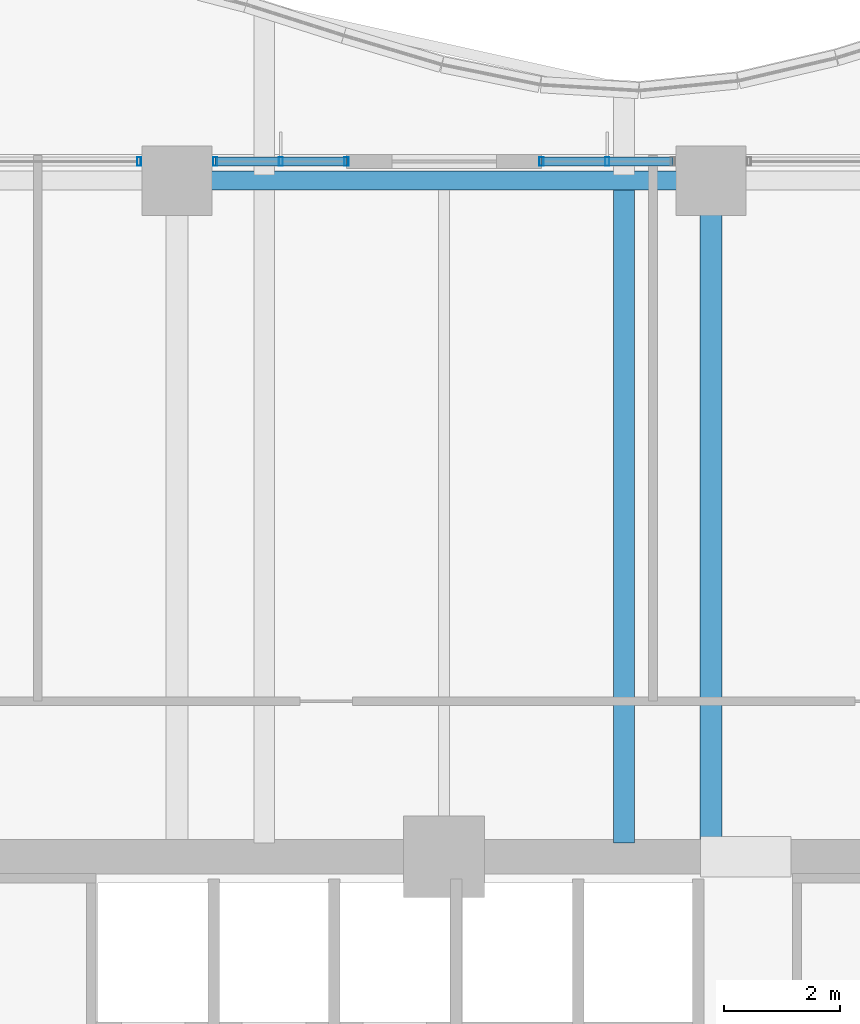
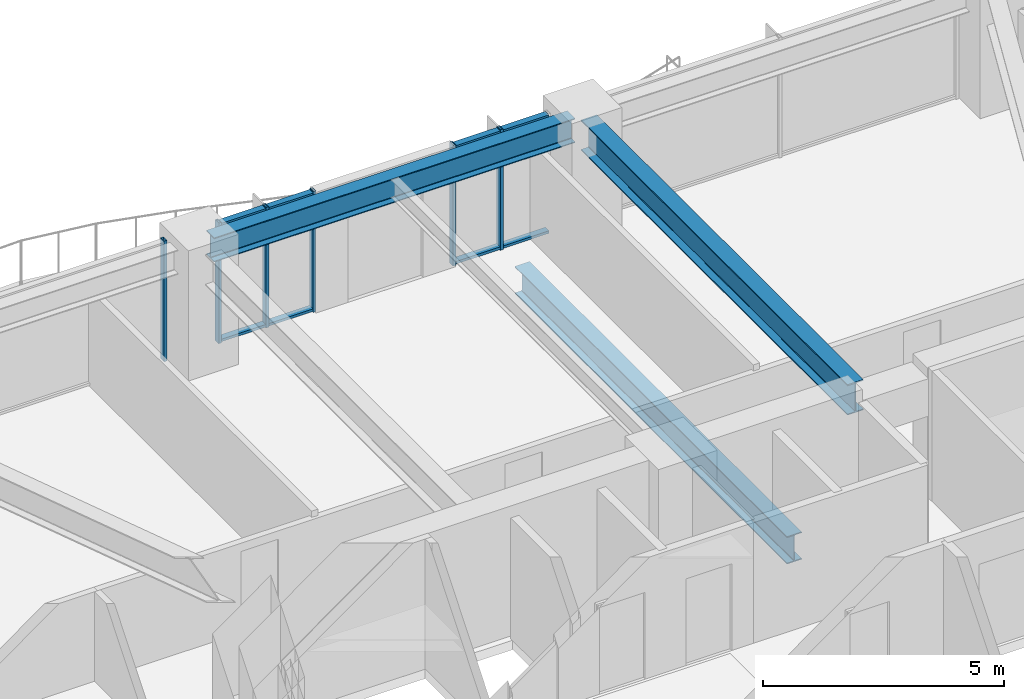
# One storey, part 21 of 38: 10 members, 3 beams, 3 elements without a shape of their own.
"""IFC4 building model written with IfcOpenShell, lengths in metres."""

import ifcopenshell
import ifcopenshell.guid

model = None  # the IFC model being written
_history = None  # IfcOwnerHistory: only IFC2X3 demands one
_inside = {}  # id of a spatial element -> (the spatial element, [elements in it])
_under = {}  # id of a project, library or spatial element -> (it, [spatial elements below it])
_declared = {}  # id of a project -> (the project, [libraries it declares])
_typed = {}  # id of a type object -> (the type object, [elements of that type])
_made_of = {}  # id of a material, layer set ... -> (it, [elements and type objects made of it])


def new_model(schema):
    """Start an empty IFC model of exactly this schema.

    Asked for "IFC4X3", IfcOpenShell would pick the latest addendum, in which some entities
    have other attributes; the version numbers below select the first issue.
    IFC2X3 requires an IfcOwnerHistory on every rooted entity: one is made here for all.
    """
    global model, _history
    if schema == "IFC4X3":
        model = ifcopenshell.file(schema_version=(4, 3, 0, 0))
    else:
        model = ifcopenshell.file(schema=schema)
    _inside.clear()
    _under.clear()
    _declared.clear()
    _typed.clear()
    _made_of.clear()
    _history = None
    if model.schema == "IFC2X3":
        org = make("IfcOrganization", Name="unknown")
        user = make(
            "IfcPersonAndOrganization",
            ThePerson=make("IfcPerson", FamilyName="unknown"),
            TheOrganization=org,
        )
        app = make(
            "IfcApplication",
            ApplicationDeveloper=org,
            Version="unknown",
            ApplicationFullName="unknown",
            ApplicationIdentifier="unknown",
        )
        _history = make(
            "IfcOwnerHistory",
            OwningUser=user,
            OwningApplication=app,
            ChangeAction="ADDED",
            CreationDate=0,
        )
    return model


def make(cls, **values):
    """One entity of the class cls with the attributes given. An attribute that is None is left unset."""
    return model.create_entity(
        cls, **{name: value for name, value in values.items() if value is not None}
    )


def rooted(cls, **values):
    """An entity with a GlobalId (a new one), such as an element, a storey or a relation."""
    return make(cls, GlobalId=ifcopenshell.guid.new(), OwnerHistory=_history, **values)


def si_unit(unit_type, name, prefix=None):
    """IfcSIUnit, for example si_unit("LENGTHUNIT", "METRE", prefix="MILLI")."""
    return make("IfcSIUnit", UnitType=unit_type, Prefix=prefix, Name=name)


def assignment(units):
    """IfcUnitAssignment: the units of a project."""
    return None if units is None else make("IfcUnitAssignment", Units=units)


def point(xyz):
    """IfcCartesianPoint."""
    return None if xyz is None else make("IfcCartesianPoint", Coordinates=xyz)


def direction(xyz):
    """IfcDirection."""
    return None if xyz is None else make("IfcDirection", DirectionRatios=xyz)


def frame(location, z_axis=None, x_axis=None):
    """IfcAxis2Placement3D, a coordinate frame: its origin and axes. An axis left out is left unset."""
    return make(
        "IfcAxis2Placement3D",
        Location=point(location),
        Axis=direction(z_axis),
        RefDirection=direction(x_axis),
    )


def frame_2d(location, x_axis=None):
    """IfcAxis2Placement2D, a coordinate frame in the plane: its origin and x axis."""
    return make(
        "IfcAxis2Placement2D", Location=point(location), RefDirection=direction(x_axis)
    )


def origin():
    """The frame at (0, 0, 0) with its axes left unset."""
    return frame((0.0, 0.0, 0.0))


def origin_2d():
    """The frame at (0, 0) in the plane with its x axis left unset."""
    return frame_2d((0.0, 0.0))


def place(relative_to, where):
    """IfcLocalPlacement: puts the frame where relative to a parent placement (None: the world)."""
    return make(
        "IfcLocalPlacement", PlacementRelTo=relative_to, RelativePlacement=where
    )


def context(
    kind, dimensions, precision=None, world=None, true_north=None, identifier=None
):
    """IfcGeometricRepresentationContext, for example the 3D "Model" context."""
    return make(
        "IfcGeometricRepresentationContext",
        ContextIdentifier=identifier,
        ContextType=kind,
        CoordinateSpaceDimension=dimensions,
        Precision=precision,
        WorldCoordinateSystem=world,
        TrueNorth=true_north,
    )


def subcontext(parent, identifier, kind, view, scale=None):
    """IfcGeometricRepresentationSubContext, for example "Body" below "Model"."""
    return make(
        "IfcGeometricRepresentationSubContext",
        ContextIdentifier=identifier,
        ContextType=kind,
        ParentContext=parent,
        TargetScale=scale,
        TargetView=view,
    )


def project(units=None, contexts=None):
    """IfcProject with its units and contexts."""
    return rooted(
        "IfcProject",
        Name="project",
        RepresentationContexts=contexts,
        UnitsInContext=assignment(units),
    )


def spatial(cls, under=None, at=None, **own):
    """A site, building, storey or space (cls), placed at a placement, below another one or the project."""
    s = rooted(cls, ObjectPlacement=at, **own)
    if under is not None:
        _under.setdefault(under.id(), (under, []))[1].append(s)
    return s


def profile(cls, at=None, kind="AREA", **sizes):
    """A parametric profile (cls). Its sizes go by their IFC names, for example OverallWidth=200.0."""
    return make(cls, ProfileType=kind, Position=at, **sizes)


def hollow_rectangle(**sizes):
    """IfcRectangleHollowProfileDef."""
    return profile("IfcRectangleHollowProfileDef", **sizes)


def i_section(**sizes):
    """IfcIShapeProfileDef."""
    return profile("IfcIShapeProfileDef", **sizes)


def extrude(swept, where, along, depth):
    """IfcExtrudedAreaSolid: the profile swept, set in the frame where, extruded along a direction by depth."""
    return make(
        "IfcExtrudedAreaSolid",
        SweptArea=swept,
        Position=where,
        ExtrudedDirection=direction(along),
        Depth=depth,
    )


def shape(context_of_items, identifier, shape_type, items):
    """IfcShapeRepresentation: the items that make up one representation, for example the "Body"."""
    return make(
        "IfcShapeRepresentation",
        ContextOfItems=context_of_items,
        RepresentationIdentifier=identifier,
        RepresentationType=shape_type,
        Items=items,
    )


def material(Name=None, Category=None):
    """IfcMaterial."""
    return make("IfcMaterial", Name=Name, Category=Category)


def material_profile(
    of_material, cross_section, Name=None, Category=None, Priority=None
):
    """IfcMaterialProfile: a cross section and its material."""
    return make(
        "IfcMaterialProfile",
        Name=Name,
        Material=of_material,
        Profile=cross_section,
        Priority=Priority,
        Category=Category,
    )


def profile_set(profiles, Name=None, composite=None):
    """IfcMaterialProfileSet."""
    return make(
        "IfcMaterialProfileSet",
        Name=Name,
        MaterialProfiles=profiles,
        CompositeProfile=composite,
    )


def made_of(thing, what):
    """Note that an element or type object is made of a material, layer set ...; save() writes the relation."""
    if what is not None:
        _made_of.setdefault(what.id(), (what, []))[1].append(thing)
    return thing


def type_object(cls, material=None, **own):
    """A type object (cls), such as IfcWallType, which elements share."""
    return made_of(rooted(cls, **own), material)


def element(
    cls,
    number,
    at=None,
    inside=None,
    cuts=None,
    type_object=None,
    material=None,
    context=None,
    identifier="Body",
    shape_type=None,
    held_by="IfcProductDefinitionShape",
    body=None,
    shapes=None,
    **own,
):
    """One element of the class cls, such as IfcWall. Its Tag is "e" and its number.

    at: its placement. inside: the storey or other place that contains it. cuts: it is an
    opening in that element (IfcRelVoidsElement). A single representation is given by context,
    identifier, shape_type and body (its items); several are given by shapes. held_by: the class
    of the entity that holds the representations. save() writes the other relations.
    """
    e = rooted(cls, Tag="e%d" % number, ObjectPlacement=at, **own)
    if body is not None:
        shapes = [shape(context, identifier, shape_type, body)]
    if shapes is not None:
        e.Representation = make(held_by, Representations=shapes)
    if inside is not None:
        _inside.setdefault(inside.id(), (inside, []))[1].append(e)
    if cuts is not None:
        rooted(
            "IfcRelVoidsElement", RelatingBuildingElement=cuts, RelatedOpeningElement=e
        )
    if type_object is not None:
        _typed.setdefault(type_object.id(), (type_object, []))[1].append(e)
    return made_of(e, material)


def aggregate(whole, parts):
    """IfcRelAggregates: a whole, such as a stair, and the parts it consists of."""
    return rooted("IfcRelAggregates", RelatingObject=whole, RelatedObjects=parts)


def save(model, path):
    """Write the relations noted so far, then the file.

    IfcRelAggregates (storeys below a building ...), IfcRelContainedInSpatialStructure (elements
    in a storey), IfcRelDefinesByType, IfcRelAssociatesMaterial and IfcRelDeclares: one each for
    every whole, place, type object, material and project.
    """
    for whole, parts in _under.values():
        aggregate(whole, parts)
    for where, things in _inside.values():
        rooted(
            "IfcRelContainedInSpatialStructure",
            RelatedElements=things,
            RelatingStructure=where,
        )
    for kind, things in _typed.values():
        rooted("IfcRelDefinesByType", RelatedObjects=things, RelatingType=kind)
    for what, things in _made_of.values():
        rooted("IfcRelAssociatesMaterial", RelatedObjects=things, RelatingMaterial=what)
    for by, libraries in _declared.values():
        rooted("IfcRelDeclares", RelatingContext=by, RelatedDefinitions=libraries)
    model.write(path)


model = new_model("IFC4")

# Units and contexts
model_context = context("Model", 3, precision=1e-05, world=origin(), true_north=direction((0.0, 1.0)))
body_context = subcontext(model_context, "Body", "Model", "MODEL_VIEW")
ifc_project = project(units=[si_unit("LENGTHUNIT", "METRE"), si_unit("AREAUNIT", "SQUARE_METRE"), si_unit("VOLUMEUNIT", "CUBIC_METRE"), si_unit("PLANEANGLEUNIT", "RADIAN"), si_unit("MASSUNIT", "GRAM", prefix="KILO")], contexts=[model_context])

# Site, building, storey
site_placement = place(None, origin())
site = spatial("IfcSite", under=ifc_project, at=site_placement, CompositionType="ELEMENT")
building_placement = place(site_placement, origin())
building = spatial("IfcBuilding", under=site, at=building_placement, Name="Kolvaren Belvedere", CompositionType="ELEMENT")
storey_placement = place(building_placement, frame((0.0, 0.0, 30.39990234375)))
storey = spatial("IfcBuildingStorey", under=building, at=storey_placement, Name="L08", CompositionType="ELEMENT", Elevation=30.39990234375)

# Beams
ifc_material_1 = material(Name="Structural steel ASTM A992 Grade 50", Category="steel")
ifc_material_profile_1 = material_profile(ifc_material_1, i_section(OverallWidth=0.35498046875, OverallDepth=0.696044921875, WebThickness=0.015380859375, FlangeThickness=0.02490234375, FilletRadius=0.02197265625, at=origin_2d()), Name="W27X146")
ifc_profile_set_1 = profile_set([ifc_material_profile_1], Name="Structural steel ASTM A992 Grade 50")
beam_type_1 = type_object("IfcBeamType", Name="BM-GIRD-W27X146", PredefinedType="BEAM", material=ifc_profile_set_1)
beam_1_placement = place(storey_placement, frame((3.10009765625, 10.139892578125, -0.587890625), z_axis=(0.0, 1.0, 0.0), x_axis=(-1.0, 0.0, 0.0)))
element("IfcBeam", 1, at=beam_1_placement, inside=storey, type_object=beam_type_1, Name="L08 Balcony Interior Back-Span Girder BAL-N-2", PredefinedType="BEAM", context=body_context, shape_type="SweptSolid", body=[
    extrude(i_section(OverallWidth=0.35498046875, OverallDepth=0.696044921875, WebThickness=0.015380859375, FlangeThickness=0.02490234375, FilletRadius=0.02197265625, at=origin_2d()), origin(), (0.0, 0.0, 1.0), 11.315185546875),
])
ifc_material_2 = material(Name="Structural steel ASTM A992 Grade 50", Category="steel")
ifc_material_profile_2 = material_profile(ifc_material_2, i_section(OverallWidth=0.381103515625, OverallDepth=0.77294921875, WebThickness=0.0166015625, FlangeThickness=0.027099609375, FilletRadius=0.02392578125, at=origin_2d()), Name="W30X173")
ifc_profile_set_2 = profile_set([ifc_material_profile_2], Name="Structural steel ASTM A992 Grade 50")
beam_type_2 = type_object("IfcBeamType", Name="BM-GIRD-W30X173", PredefinedType="BEAM", material=ifc_profile_set_2)
beam_2_placement = place(storey_placement, frame((4.60009765625, 10.199951171875, 2.673583984375), z_axis=(0.0, 1.0, 0.0), x_axis=(-1.0, 0.0, 0.0)))
element("IfcBeam", 2, at=beam_2_placement, inside=storey, type_object=beam_type_2, Name="L08 North Radial Girder P", PredefinedType="BEAM", context=body_context, shape_type="SweptSolid", body=[
    extrude(i_section(OverallWidth=0.381103515625, OverallDepth=0.77294921875, WebThickness=0.0166015625, FlangeThickness=0.027099609375, FilletRadius=0.02392578125, at=origin_2d()), origin(), (0.0, 0.0, 1.0), 11.080078125),
])
ifc_material_3 = material(Name="Structural steel ASTM A992 Grade 50", Category="steel")
ifc_material_profile_3 = material_profile(ifc_material_3, i_section(OverallWidth=0.324951171875, OverallDepth=0.615966796875, WebThickness=0.013916015625, FlangeThickness=0.021484375, FilletRadius=0.02001953125, at=origin_2d()), Name="W24X117")
ifc_profile_set_3 = profile_set([ifc_material_profile_3], Name="Structural steel ASTM A992 Grade 50")
beam_type_3 = type_object("IfcBeamType", Name="BM-SPAN-W24X117", PredefinedType="SPANDREL", material=ifc_profile_set_3)
beam_3_placement = place(storey_placement, frame((4.330078125, 21.550048828125, 2.752197265625), z_axis=(-1.0, 0.0, 0.0), x_axis=(0.0, -1.0, 0.0)))
element("IfcBeam", 3, at=beam_3_placement, inside=storey, type_object=beam_type_3, Name="L08 Perimeter Spandrel N3-N2", PredefinedType="SPANDREL", context=body_context, shape_type="SweptSolid", body=[
    extrude(i_section(OverallWidth=0.324951171875, OverallDepth=0.615966796875, WebThickness=0.013916015625, FlangeThickness=0.021484375, FilletRadius=0.02001953125, at=origin_2d()), origin(), (0.0, 0.0, 1.0), 8.66015625),
])

# Curtain wall, member
ifc_material_4 = material(Name="Anodised pale-metal aluminium AA 6063-T6", Category="aluminium")
curtain_wall_type = type_object("IfcCurtainWallType", Name="CW-Z1-LOW", PredefinedType="NOTDEFINED", material=ifc_material_4)
curtain_wall_1_placement = place(storey_placement, origin())
curtain_wall_1 = element("IfcCurtainWall", 4, at=curtain_wall_1_placement, inside=storey, type_object=curtain_wall_type, Name="L08 Unitised Curtain Wall FCW-L08-N1-B1", PredefinedType="NOTDEFINED")
ifc_material_5 = material(Name="Anodised pale-metal aluminium AA 6063-T6", Category="aluminium")
ifc_material_profile_4 = material_profile(ifc_material_5, hollow_rectangle(XDim=0.070068359375, YDim=0.14990234375, WallThickness=0.004150390625, at=origin_2d()), Name="ALU-MUL-150X70")
ifc_profile_set_4 = profile_set([ifc_material_profile_4], Name="Anodised pale-metal aluminium AA 6063-T6")
member_type_1 = type_object("IfcMemberType", Name="CW-MUL-150", PredefinedType="MULLION", material=ifc_profile_set_4)
member_1_placement = place(storey_placement, frame((-5.2548828125, 21.8798828125, 0.0), z_axis=(0.0, 0.0, 1.0), x_axis=(1.0, 0.0, 0.0)))
member_1 = element("IfcMember", 5, at=member_1_placement, type_object=member_type_1, Name="FCW-L08-N1-B1 Unitised Mullion 3", PredefinedType="MULLION", context=body_context, shape_type="SweptSolid", body=[
    extrude(hollow_rectangle(XDim=0.070068359375, YDim=0.14990234375, WallThickness=0.004150390625, at=origin_2d()), origin(), (0.0, 0.0, 1.0), 3.06005859375),
])
aggregate(curtain_wall_1, [member_1])

# Curtain wall, members
curtain_wall_2_placement = place(storey_placement, origin())
curtain_wall_2 = element("IfcCurtainWall", 6, at=curtain_wall_2_placement, inside=storey, type_object=curtain_wall_type, Name="L08 Unitised Curtain Wall FCW-L08-N1-B2", PredefinedType="NOTDEFINED")
member_2_placement = place(storey_placement, frame((-3.945068359375, 21.8798828125, 0.0), z_axis=(0.0, 0.0, 1.0), x_axis=(1.0, 0.0, 0.0)))
member_2 = element("IfcMember", 7, at=member_2_placement, type_object=member_type_1, Name="FCW-L08-N1-B2 Unitised Mullion 1", PredefinedType="MULLION", context=body_context, shape_type="SweptSolid", body=[
    extrude(hollow_rectangle(XDim=0.070068359375, YDim=0.14990234375, WallThickness=0.004150390625, at=origin_2d()), origin(), (0.0, 0.0, 1.0), 3.06005859375),
])
member_3_placement = place(storey_placement, frame((-2.8125, 21.8798828125, 0.0), z_axis=(0.0, 0.0, 1.0), x_axis=(1.0, 0.0, 0.0)))
member_3 = element("IfcMember", 8, at=member_3_placement, type_object=member_type_1, Name="FCW-L08-N1-B2 Unitised Mullion 2", PredefinedType="MULLION", context=body_context, shape_type="SweptSolid", body=[
    extrude(hollow_rectangle(XDim=0.070068359375, YDim=0.14990234375, WallThickness=0.004150390625, at=origin_2d()), origin(), (0.0, 0.0, 1.0), 3.06005859375),
])
member_4_placement = place(storey_placement, frame((-1.679931640625, 21.8798828125, 0.0), z_axis=(0.0, 0.0, 1.0), x_axis=(1.0, 0.0, 0.0)))
member_4 = element("IfcMember", 9, at=member_4_placement, type_object=member_type_1, Name="FCW-L08-N1-B2 Unitised Mullion 3", PredefinedType="MULLION", context=body_context, shape_type="SweptSolid", body=[
    extrude(hollow_rectangle(XDim=0.070068359375, YDim=0.14990234375, WallThickness=0.004150390625, at=origin_2d()), origin(), (0.0, 0.0, 1.0), 3.06005859375),
])

curtain_wall_3_placement = place(storey_placement, origin())
curtain_wall_3 = element("IfcCurtainWall", 10, at=curtain_wall_3_placement, inside=storey, type_object=curtain_wall_type, Name="L08 Unitised Curtain Wall FCW-L08-N2-B1", PredefinedType="NOTDEFINED")
member_5_placement = place(storey_placement, frame((1.679931640625, 21.8798828125, 0.0), z_axis=(0.0, 0.0, 1.0), x_axis=(1.0, 0.0, 0.0)))
member_5 = element("IfcMember", 11, at=member_5_placement, type_object=member_type_1, Name="FCW-L08-N2-B1 Unitised Mullion 1", PredefinedType="MULLION", context=body_context, shape_type="SweptSolid", body=[
    extrude(hollow_rectangle(XDim=0.070068359375, YDim=0.14990234375, WallThickness=0.004150390625, at=origin_2d()), origin(), (0.0, 0.0, 1.0), 3.06005859375),
])
member_6_placement = place(storey_placement, frame((2.8125, 21.8798828125, 0.0), z_axis=(0.0, 0.0, 1.0), x_axis=(1.0, 0.0, 0.0)))
member_6 = element("IfcMember", 12, at=member_6_placement, type_object=member_type_1, Name="FCW-L08-N2-B1 Unitised Mullion 2", PredefinedType="MULLION", context=body_context, shape_type="SweptSolid", body=[
    extrude(hollow_rectangle(XDim=0.070068359375, YDim=0.14990234375, WallThickness=0.004150390625, at=origin_2d()), origin(), (0.0, 0.0, 1.0), 3.06005859375),
])

# Member
ifc_material_6 = material(Name="Anodised pale-metal aluminium AA 6063-T6", Category="aluminium")
ifc_material_profile_5 = material_profile(ifc_material_6, hollow_rectangle(XDim=0.06494140625, YDim=0.14990234375, WallThickness=0.00390625, at=origin_2d()), Name="ALU-TRN-150X65")
ifc_profile_set_5 = profile_set([ifc_material_profile_5], Name="Anodised pale-metal aluminium AA 6063-T6")
member_type_2 = type_object("IfcMemberType", Name="CW-TRN-150", PredefinedType="USERDEFINED", material=ifc_profile_set_5)
member_7_placement = place(storey_placement, frame((-3.945068359375, 21.8798828125, 0.06005859375), z_axis=(1.0, 0.0, 0.0), x_axis=(0.0, 0.0, 1.0)))
member_7 = element("IfcMember", 13, at=member_7_placement, type_object=member_type_2, Name="FCW-L08-N1-B2 Sill Transom", ObjectType="TRANSOM", PredefinedType="USERDEFINED", context=body_context, shape_type="SweptSolid", body=[
    extrude(hollow_rectangle(XDim=0.06494140625, YDim=0.14990234375, WallThickness=0.00390625, at=origin_2d()), origin(), (0.0, 0.0, 1.0), 2.26513671875),
])

member_8_placement = place(storey_placement, frame((-3.945068359375, 21.8798828125, 3.0), z_axis=(1.0, 0.0, 0.0), x_axis=(0.0, 0.0, 1.0)))
member_8 = element("IfcMember", 14, at=member_8_placement, type_object=member_type_2, Name="FCW-L08-N1-B2 Head Transom", ObjectType="TRANSOM", PredefinedType="USERDEFINED", context=body_context, shape_type="SweptSolid", body=[
    extrude(hollow_rectangle(XDim=0.06494140625, YDim=0.14990234375, WallThickness=0.00390625, at=origin_2d()), origin(), (0.0, 0.0, 1.0), 2.26513671875),
])

aggregate(curtain_wall_2, [member_2, member_3, member_4, member_7, member_8])

member_9_placement = place(storey_placement, frame((1.679931640625, 21.8798828125, 0.06005859375), z_axis=(1.0, 0.0, 0.0), x_axis=(0.0, 0.0, 1.0)))
member_9 = element("IfcMember", 15, at=member_9_placement, type_object=member_type_2, Name="FCW-L08-N2-B1 Sill Transom", ObjectType="TRANSOM", PredefinedType="USERDEFINED", context=body_context, shape_type="SweptSolid", body=[
    extrude(hollow_rectangle(XDim=0.06494140625, YDim=0.14990234375, WallThickness=0.00390625, at=origin_2d()), origin(), (0.0, 0.0, 1.0), 2.26513671875),
])

member_10_placement = place(storey_placement, frame((1.679931640625, 21.8798828125, 3.0), z_axis=(1.0, 0.0, 0.0), x_axis=(0.0, 0.0, 1.0)))
member_10 = element("IfcMember", 16, at=member_10_placement, type_object=member_type_2, Name="FCW-L08-N2-B1 Head Transom", ObjectType="TRANSOM", PredefinedType="USERDEFINED", context=body_context, shape_type="SweptSolid", body=[
    extrude(hollow_rectangle(XDim=0.06494140625, YDim=0.14990234375, WallThickness=0.00390625, at=origin_2d()), origin(), (0.0, 0.0, 1.0), 2.26513671875),
])

aggregate(curtain_wall_3, [member_5, member_6, member_9, member_10])

save(model, "model.ifc")
